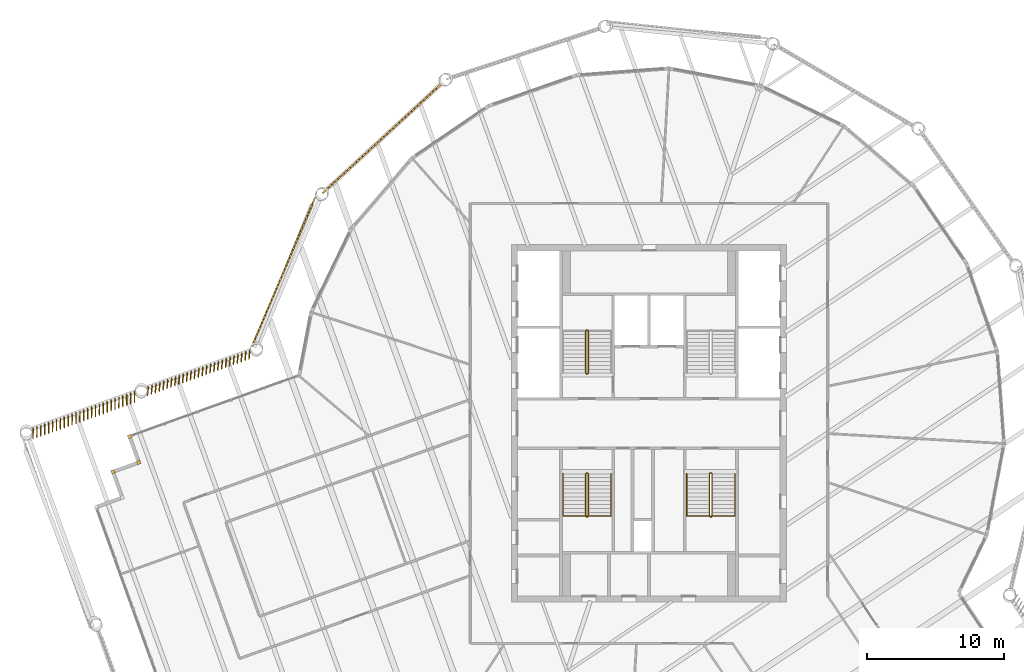
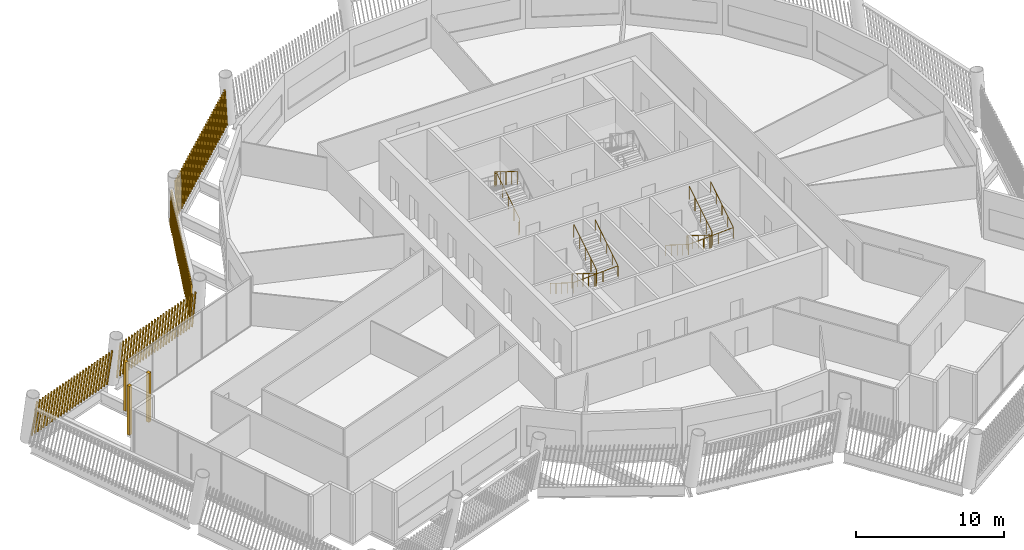
# One storey, part 25 of 28: 7 shading devices, 5 railings.
"""IFC4 building model written with IfcOpenShell, lengths in metres."""

from ifc_helpers import new_model, si_unit, direction, frame, frame_2d, origin, origin_2d, place, context, subcontext, project, spatial, rectangle, circle, composite_profile, extrude, material, type_object, element, save


model = new_model("IFC4")

# Units and contexts
model_context = context("Model", 3, precision=1e-05, world=origin(), true_north=direction((0.0, 1.0)))
body_context = subcontext(model_context, "Body", "Model", "MODEL_VIEW")
ifc_project = project(units=[si_unit("LENGTHUNIT", "METRE"), si_unit("AREAUNIT", "SQUARE_METRE"), si_unit("VOLUMEUNIT", "CUBIC_METRE"), si_unit("PLANEANGLEUNIT", "RADIAN"), si_unit("MASSUNIT", "GRAM", prefix="KILO")], contexts=[model_context])

# Site, building, storey
site_placement = place(None, origin())
site = spatial("IfcSite", under=ifc_project, at=site_placement, CompositionType="ELEMENT")
building_placement = place(site_placement, origin())
building = spatial("IfcBuilding", under=site, at=building_placement, Name="Tarsis Ring Headquarters", CompositionType="ELEMENT")
storey_placement = place(building_placement, frame((0.0, 0.0, 365.0)))
storey = spatial("IfcBuildingStorey", under=building, at=storey_placement, Name="L86", CompositionType="ELEMENT", Elevation=365.0)

# Railings
ifc_material_1 = material(Name="Steel S355", Category="steel")
railing_type_1 = type_object("IfcRailingType", Name="Core stair guard 1100", PredefinedType="GUARDRAIL", material=ifc_material_1)
railing_1_placement = place(storey_placement, frame((-4.5400390625, 3.610107421875, 0.0)))
element("IfcRailing", 1, at=railing_1_placement, inside=storey, type_object=railing_type_1, Name="L86 ST1 stair guard 1", PredefinedType="GUARDRAIL", context=body_context, shape_type="SweptSolid", body=[
    extrude(circle(Radius=0.02392578125, at=origin_2d()), frame((0.0, 0.0, 1.076171875), z_axis=(1.0, 0.0, 0.0), x_axis=(0.0, 1.0, 0.0)), (0.0, 0.0, 1.0), 0.080078125),
    extrude(circle(Radius=0.02392578125, at=origin_2d()), frame((0.080078125, 0.0, 1.076171875), z_axis=(0.265155923931, 0.263862480399, 0.927399011991), x_axis=(-0.705375805398, 0.708833529934, 0.0)), (0.0, 0.0, 1.0), 0.188720703125),
    extrude(circle(Radius=0.02392578125, at=origin_2d()), frame((0.130126953125, 0.0498046875, 1.2509765625), z_axis=(0.0, 0.847998304005, 0.529998940003), x_axis=(-1.0, 0.0, 0.0)), (0.0, 0.0, 1.0), 3.632080078125),
    extrude(circle(Radius=0.02392578125, at=origin_2d()), frame((0.130126953125, 3.1298828125, 3.17626953125), z_axis=(-0.707106781187, 0.707106781187, 0.0), x_axis=(-0.707106781187, -0.707106781187, 0.0)), (0.0, 0.0, 1.0), 0.07080078125),
    extrude(circle(Radius=0.02392578125, at=origin_2d()), frame((0.080078125, 3.179931640625, 3.17626953125), z_axis=(-1.0, 0.0, 0.0), x_axis=(0.0, -1.0, 0.0)), (0.0, 0.0, 1.0), 0.080078125),
    extrude(circle(Radius=0.02392578125, at=origin_2d()), frame((0.0, 3.179931640625, 3.17626953125), z_axis=(-0.265383341853, -0.265383341853, 0.926899867156), x_axis=(0.707106781187, -0.707106781187, 0.0)), (0.0, 0.0, 1.0), 0.1884765625),
    extrude(circle(Radius=0.02392578125, at=origin_2d()), frame((-0.050048828125, 3.1298828125, 3.35107421875), z_axis=(0.0, -0.847998304005, 0.529998940003), x_axis=(1.0, 0.0, 0.0)), (0.0, 0.0, 1.0), 3.632080078125),
    extrude(circle(Radius=0.02099609375, at=origin_2d()), origin(), (0.0, 0.0, 1.0), 1.052001953125),
    extrude(circle(Radius=0.02099609375, at=origin_2d()), frame((0.080078125, 0.0, 0.0)), (0.0, 0.0, 1.0), 1.052001953125),
    extrude(circle(Radius=0.02099609375, at=origin_2d()), frame((0.130126953125, 0.0498046875, 0.175048828125)), (0.0, 0.0, 1.0), 1.052001953125),
    extrude(circle(Radius=0.02099609375, at=origin_2d()), frame((0.130126953125, 0.81982421875, 0.65625)), (0.0, 0.0, 1.0), 1.052001953125),
    extrude(circle(Radius=0.02099609375, at=origin_2d()), frame((0.130126953125, 1.58984375, 1.1376953125)), (0.0, 0.0, 1.0), 1.052001953125),
    extrude(circle(Radius=0.02099609375, at=origin_2d()), frame((0.130126953125, 2.35986328125, 1.618896484375)), (0.0, 0.0, 1.0), 1.052001953125),
    extrude(circle(Radius=0.02099609375, at=origin_2d()), frame((0.130126953125, 3.1298828125, 2.10009765625)), (0.0, 0.0, 1.0), 1.052001953125),
    extrude(circle(Radius=0.02099609375, at=origin_2d()), frame((0.080078125, 3.179931640625, 2.10009765625)), (0.0, 0.0, 1.0), 1.052001953125),
    extrude(circle(Radius=0.02099609375, at=origin_2d()), frame((0.0, 3.179931640625, 2.10009765625)), (0.0, 0.0, 1.0), 1.052001953125),
    extrude(circle(Radius=0.02099609375, at=origin_2d()), frame((-0.050048828125, 3.1298828125, 2.27490234375)), (0.0, 0.0, 1.0), 1.052001953125),
    extrude(circle(Radius=0.02099609375, at=origin_2d()), frame((-0.050048828125, 2.35986328125, 2.756103515625)), (0.0, 0.0, 1.0), 1.052001953125),
    extrude(circle(Radius=0.02099609375, at=origin_2d()), frame((-0.050048828125, 1.58984375, 3.2373046875)), (0.0, 0.0, 1.0), 1.052001953125),
    extrude(circle(Radius=0.02099609375, at=origin_2d()), frame((-0.050048828125, 0.81982421875, 3.71875)), (0.0, 0.0, 1.0), 1.052001953125),
    extrude(circle(Radius=0.02099609375, at=origin_2d()), frame((-0.050048828125, 0.0498046875, 4.199951171875)), (0.0, 0.0, 1.0), 1.052001953125),
])
railing_2_placement = place(storey_placement, frame((-4.4599609375, -3.610107421875, 0.0)))
element("IfcRailing", 2, at=railing_2_placement, inside=storey, type_object=railing_type_1, Name="L86 ST3 stair guard 1", PredefinedType="GUARDRAIL", context=body_context, shape_type="SweptSolid", body=[
    extrude(circle(Radius=0.02392578125, at=origin_2d()), frame((0.0, 0.0, 1.076171875), z_axis=(-1.0, 0.0, 0.0), x_axis=(0.0, -1.0, 0.0)), (0.0, 0.0, 1.0), 0.080078125),
    extrude(circle(Radius=0.02392578125, at=origin_2d()), frame((-0.080078125, 0.0, 1.076171875), z_axis=(-0.265155923931, -0.263862480399, 0.927399011991), x_axis=(0.705375805398, -0.708833529934, 0.0)), (0.0, 0.0, 1.0), 0.188720703125),
    extrude(circle(Radius=0.02392578125, at=origin_2d()), frame((-0.130126953125, -0.0498046875, 1.2509765625), z_axis=(0.0, -0.847998304005, 0.529998940003), x_axis=(1.0, 0.0, 0.0)), (0.0, 0.0, 1.0), 3.632080078125),
    extrude(circle(Radius=0.02392578125, at=origin_2d()), frame((-0.130126953125, -3.1298828125, 3.17626953125), z_axis=(0.707106781187, -0.707106781187, 0.0), x_axis=(0.707106781187, 0.707106781187, 0.0)), (0.0, 0.0, 1.0), 0.07080078125),
    extrude(circle(Radius=0.02392578125, at=origin_2d()), frame((-0.080078125, -3.179931640625, 3.17626953125), z_axis=(1.0, 0.0, 0.0), x_axis=(0.0, 1.0, 0.0)), (0.0, 0.0, 1.0), 0.080078125),
    extrude(circle(Radius=0.02392578125, at=origin_2d()), frame((0.0, -3.179931640625, 3.17626953125), z_axis=(0.265383341853, 0.265383341853, 0.926899867156), x_axis=(-0.707106781187, 0.707106781187, 0.0)), (0.0, 0.0, 1.0), 0.1884765625),
    extrude(circle(Radius=0.02392578125, at=origin_2d()), frame((0.050048828125, -3.1298828125, 3.35107421875), z_axis=(0.0, 0.847998304005, 0.529998940003), x_axis=(-1.0, 0.0, 0.0)), (0.0, 0.0, 1.0), 3.632080078125),
    extrude(circle(Radius=0.02099609375, at=origin_2d()), origin(), (0.0, 0.0, 1.0), 1.052001953125),
    extrude(circle(Radius=0.02099609375, at=origin_2d()), frame((-0.080078125, 0.0, 0.0)), (0.0, 0.0, 1.0), 1.052001953125),
    extrude(circle(Radius=0.02099609375, at=origin_2d()), frame((-0.130126953125, -0.0498046875, 0.175048828125)), (0.0, 0.0, 1.0), 1.052001953125),
    extrude(circle(Radius=0.02099609375, at=origin_2d()), frame((-0.130126953125, -0.81982421875, 0.65625)), (0.0, 0.0, 1.0), 1.052001953125),
    extrude(circle(Radius=0.02099609375, at=origin_2d()), frame((-0.130126953125, -1.58984375, 1.1376953125)), (0.0, 0.0, 1.0), 1.052001953125),
    extrude(circle(Radius=0.02099609375, at=origin_2d()), frame((-0.130126953125, -2.35986328125, 1.618896484375)), (0.0, 0.0, 1.0), 1.052001953125),
    extrude(circle(Radius=0.02099609375, at=origin_2d()), frame((-0.130126953125, -3.1298828125, 2.10009765625)), (0.0, 0.0, 1.0), 1.052001953125),
    extrude(circle(Radius=0.02099609375, at=origin_2d()), frame((-0.080078125, -3.179931640625, 2.10009765625)), (0.0, 0.0, 1.0), 1.052001953125),
    extrude(circle(Radius=0.02099609375, at=origin_2d()), frame((0.0, -3.179931640625, 2.10009765625)), (0.0, 0.0, 1.0), 1.052001953125),
    extrude(circle(Radius=0.02099609375, at=origin_2d()), frame((0.050048828125, -3.1298828125, 2.27490234375)), (0.0, 0.0, 1.0), 1.052001953125),
    extrude(circle(Radius=0.02099609375, at=origin_2d()), frame((0.050048828125, -2.35986328125, 2.756103515625)), (0.0, 0.0, 1.0), 1.052001953125),
    extrude(circle(Radius=0.02099609375, at=origin_2d()), frame((0.050048828125, -1.58984375, 3.2373046875)), (0.0, 0.0, 1.0), 1.052001953125),
    extrude(circle(Radius=0.02099609375, at=origin_2d()), frame((0.050048828125, -0.81982421875, 3.71875)), (0.0, 0.0, 1.0), 1.052001953125),
    extrude(circle(Radius=0.02099609375, at=origin_2d()), frame((0.050048828125, -0.0498046875, 4.199951171875)), (0.0, 0.0, 1.0), 1.052001953125),
])
railing_3_placement = place(storey_placement, frame((4.5400390625, -3.610107421875, 0.0)))
element("IfcRailing", 3, at=railing_3_placement, inside=storey, type_object=railing_type_1, Name="L86 ST4 stair guard 1", PredefinedType="GUARDRAIL", context=body_context, shape_type="SweptSolid", body=[
    extrude(circle(Radius=0.02392578125, at=origin_2d()), frame((0.0, 0.0, 1.076171875), z_axis=(-1.0, 0.0, 0.0), x_axis=(0.0, -1.0, 0.0)), (0.0, 0.0, 1.0), 0.080078125),
    extrude(circle(Radius=0.02392578125, at=origin_2d()), frame((-0.080078125, 0.0, 1.076171875), z_axis=(-0.265155923931, -0.263862480399, 0.927399011991), x_axis=(0.705375805398, -0.708833529934, 0.0)), (0.0, 0.0, 1.0), 0.188720703125),
    extrude(circle(Radius=0.02392578125, at=origin_2d()), frame((-0.130126953125, -0.0498046875, 1.2509765625), z_axis=(0.0, -0.847998304005, 0.529998940003), x_axis=(1.0, 0.0, 0.0)), (0.0, 0.0, 1.0), 3.632080078125),
    extrude(circle(Radius=0.02392578125, at=origin_2d()), frame((-0.130126953125, -3.1298828125, 3.17626953125), z_axis=(0.707106781187, -0.707106781187, 0.0), x_axis=(0.707106781187, 0.707106781187, 0.0)), (0.0, 0.0, 1.0), 0.07080078125),
    extrude(circle(Radius=0.02392578125, at=origin_2d()), frame((-0.080078125, -3.179931640625, 3.17626953125), z_axis=(1.0, 0.0, 0.0), x_axis=(0.0, 1.0, 0.0)), (0.0, 0.0, 1.0), 0.080078125),
    extrude(circle(Radius=0.02392578125, at=origin_2d()), frame((0.0, -3.179931640625, 3.17626953125), z_axis=(0.265383341853, 0.265383341853, 0.926899867156), x_axis=(-0.707106781187, 0.707106781187, 0.0)), (0.0, 0.0, 1.0), 0.1884765625),
    extrude(circle(Radius=0.02392578125, at=origin_2d()), frame((0.050048828125, -3.1298828125, 3.35107421875), z_axis=(0.0, 0.847998304005, 0.529998940003), x_axis=(-1.0, 0.0, 0.0)), (0.0, 0.0, 1.0), 3.632080078125),
    extrude(circle(Radius=0.02099609375, at=origin_2d()), origin(), (0.0, 0.0, 1.0), 1.052001953125),
    extrude(circle(Radius=0.02099609375, at=origin_2d()), frame((-0.080078125, 0.0, 0.0)), (0.0, 0.0, 1.0), 1.052001953125),
    extrude(circle(Radius=0.02099609375, at=origin_2d()), frame((-0.130126953125, -0.0498046875, 0.175048828125)), (0.0, 0.0, 1.0), 1.052001953125),
    extrude(circle(Radius=0.02099609375, at=origin_2d()), frame((-0.130126953125, -0.81982421875, 0.65625)), (0.0, 0.0, 1.0), 1.052001953125),
    extrude(circle(Radius=0.02099609375, at=origin_2d()), frame((-0.130126953125, -1.58984375, 1.1376953125)), (0.0, 0.0, 1.0), 1.052001953125),
    extrude(circle(Radius=0.02099609375, at=origin_2d()), frame((-0.130126953125, -2.35986328125, 1.618896484375)), (0.0, 0.0, 1.0), 1.052001953125),
    extrude(circle(Radius=0.02099609375, at=origin_2d()), frame((-0.130126953125, -3.1298828125, 2.10009765625)), (0.0, 0.0, 1.0), 1.052001953125),
    extrude(circle(Radius=0.02099609375, at=origin_2d()), frame((-0.080078125, -3.179931640625, 2.10009765625)), (0.0, 0.0, 1.0), 1.052001953125),
    extrude(circle(Radius=0.02099609375, at=origin_2d()), frame((0.0, -3.179931640625, 2.10009765625)), (0.0, 0.0, 1.0), 1.052001953125),
    extrude(circle(Radius=0.02099609375, at=origin_2d()), frame((0.050048828125, -3.1298828125, 2.27490234375)), (0.0, 0.0, 1.0), 1.052001953125),
    extrude(circle(Radius=0.02099609375, at=origin_2d()), frame((0.050048828125, -2.35986328125, 2.756103515625)), (0.0, 0.0, 1.0), 1.052001953125),
    extrude(circle(Radius=0.02099609375, at=origin_2d()), frame((0.050048828125, -1.58984375, 3.2373046875)), (0.0, 0.0, 1.0), 1.052001953125),
    extrude(circle(Radius=0.02099609375, at=origin_2d()), frame((0.050048828125, -0.81982421875, 3.71875)), (0.0, 0.0, 1.0), 1.052001953125),
    extrude(circle(Radius=0.02099609375, at=origin_2d()), frame((0.050048828125, -0.0498046875, 4.199951171875)), (0.0, 0.0, 1.0), 1.052001953125),
])
railing_type_2 = type_object("IfcRailingType", Name="Core stair handrail 900", PredefinedType="HANDRAIL", material=ifc_material_1)
railing_4_placement = place(storey_placement, frame((-6.25, -3.659912109375, 0.175048828125)))
element("IfcRailing", 4, at=railing_4_placement, inside=storey, type_object=railing_type_2, Name="L86 ST3 stair handrail 1", PredefinedType="HANDRAIL", context=body_context, shape_type="SweptSolid", body=[
    extrude(circle(Radius=0.02392578125, at=origin_2d()), frame((0.0, 0.0, 0.8759765625), z_axis=(0.0, -0.847998304005, 0.529998940003), x_axis=(1.0, 0.0, 0.0)), (0.0, 0.0, 1.0), 3.632080078125),
    extrude(circle(Radius=0.02392578125, at=origin_2d()), frame((0.0, -3.080078125, 2.80078125), z_axis=(0.998755117086, 0.0, 0.049882021752), x_axis=(0.0, 1.0, 0.0)), (0.0, 0.0, 1.0), 3.50439453125),
    extrude(circle(Radius=0.02392578125, at=origin_2d()), frame((3.5, -3.080078125, 2.9755859375), z_axis=(0.0, 0.847998304005, 0.529998940003), x_axis=(-1.0, 0.0, 0.0)), (0.0, 0.0, 1.0), 3.632080078125),
    extrude(circle(Radius=0.02099609375, at=origin_2d()), origin(), (0.0, 0.0, 1.0), 0.851806640625),
    extrude(circle(Radius=0.02099609375, at=origin_2d()), frame((0.0, -0.77001953125, 0.481201171875)), (0.0, 0.0, 1.0), 0.851806640625),
    extrude(circle(Radius=0.02099609375, at=origin_2d()), frame((0.0, -1.5400390625, 0.96240234375)), (0.0, 0.0, 1.0), 0.851806640625),
    extrude(circle(Radius=0.02099609375, at=origin_2d()), frame((0.0, -2.31005859375, 1.44384765625)), (0.0, 0.0, 1.0), 0.851806640625),
    extrude(circle(Radius=0.02099609375, at=origin_2d()), frame((0.0, -3.080078125, 1.925048828125)), (0.0, 0.0, 1.0), 0.851806640625),
    extrude(circle(Radius=0.02099609375, at=origin_2d()), frame((1.166748046875, -3.080078125, 1.9833984375)), (0.0, 0.0, 1.0), 0.851806640625),
    extrude(circle(Radius=0.02099609375, at=origin_2d()), frame((2.333251953125, -3.080078125, 2.04150390625)), (0.0, 0.0, 1.0), 0.851806640625),
    extrude(circle(Radius=0.02099609375, at=origin_2d()), frame((3.5, -3.080078125, 2.099853515625)), (0.0, 0.0, 1.0), 0.851806640625),
    extrude(circle(Radius=0.02099609375, at=origin_2d()), frame((3.5, -2.31005859375, 2.5810546875)), (0.0, 0.0, 1.0), 0.851806640625),
    extrude(circle(Radius=0.02099609375, at=origin_2d()), frame((3.5, -1.5400390625, 3.0625)), (0.0, 0.0, 1.0), 0.851806640625),
    extrude(circle(Radius=0.02099609375, at=origin_2d()), frame((3.5, -0.77001953125, 3.543701171875)), (0.0, 0.0, 1.0), 0.851806640625),
    extrude(circle(Radius=0.02099609375, at=origin_2d()), frame((3.5, 0.0, 4.02490234375)), (0.0, 0.0, 1.0), 0.851806640625),
])
railing_5_placement = place(storey_placement, frame((2.75, -3.659912109375, 0.175048828125)))
element("IfcRailing", 5, at=railing_5_placement, inside=storey, type_object=railing_type_2, Name="L86 ST4 stair handrail 1", PredefinedType="HANDRAIL", context=body_context, shape_type="SweptSolid", body=[
    extrude(circle(Radius=0.02392578125, at=origin_2d()), frame((0.0, 0.0, 0.8759765625), z_axis=(0.0, -0.847998304005, 0.529998940003), x_axis=(1.0, 0.0, 0.0)), (0.0, 0.0, 1.0), 3.632080078125),
    extrude(circle(Radius=0.02392578125, at=origin_2d()), frame((0.0, -3.080078125, 2.80078125), z_axis=(0.998755117086, 0.0, 0.049882021752), x_axis=(0.0, 1.0, 0.0)), (0.0, 0.0, 1.0), 3.50439453125),
    extrude(circle(Radius=0.02392578125, at=origin_2d()), frame((3.5, -3.080078125, 2.9755859375), z_axis=(0.0, 0.847998304005, 0.529998940003), x_axis=(-1.0, 0.0, 0.0)), (0.0, 0.0, 1.0), 3.632080078125),
    extrude(circle(Radius=0.02099609375, at=origin_2d()), origin(), (0.0, 0.0, 1.0), 0.851806640625),
    extrude(circle(Radius=0.02099609375, at=origin_2d()), frame((0.0, -0.77001953125, 0.481201171875)), (0.0, 0.0, 1.0), 0.851806640625),
    extrude(circle(Radius=0.02099609375, at=origin_2d()), frame((0.0, -1.5400390625, 0.96240234375)), (0.0, 0.0, 1.0), 0.851806640625),
    extrude(circle(Radius=0.02099609375, at=origin_2d()), frame((0.0, -2.31005859375, 1.44384765625)), (0.0, 0.0, 1.0), 0.851806640625),
    extrude(circle(Radius=0.02099609375, at=origin_2d()), frame((0.0, -3.080078125, 1.925048828125)), (0.0, 0.0, 1.0), 0.851806640625),
    extrude(circle(Radius=0.02099609375, at=origin_2d()), frame((1.166748046875, -3.080078125, 1.9833984375)), (0.0, 0.0, 1.0), 0.851806640625),
    extrude(circle(Radius=0.02099609375, at=origin_2d()), frame((2.333251953125, -3.080078125, 2.04150390625)), (0.0, 0.0, 1.0), 0.851806640625),
    extrude(circle(Radius=0.02099609375, at=origin_2d()), frame((3.5, -3.080078125, 2.099853515625)), (0.0, 0.0, 1.0), 0.851806640625),
    extrude(circle(Radius=0.02099609375, at=origin_2d()), frame((3.5, -2.31005859375, 2.5810546875)), (0.0, 0.0, 1.0), 0.851806640625),
    extrude(circle(Radius=0.02099609375, at=origin_2d()), frame((3.5, -1.5400390625, 3.0625)), (0.0, 0.0, 1.0), 0.851806640625),
    extrude(circle(Radius=0.02099609375, at=origin_2d()), frame((3.5, -0.77001953125, 3.543701171875)), (0.0, 0.0, 1.0), 0.851806640625),
    extrude(circle(Radius=0.02099609375, at=origin_2d()), frame((3.5, 0.0, 4.02490234375)), (0.0, 0.0, 1.0), 0.851806640625),
])

# Shading devices
ifc_material_2 = material(Name="Terracotta baguette", Category="masonry")
shading_device_type_1 = type_object("IfcShadingDeviceType", Name="Terracotta baguette screen", PredefinedType="USERDEFINED", material=ifc_material_2)
shading_device_1_placement = place(storey_placement, frame((-15.087158203125, 24.70458984375, 0.0), z_axis=(0.0, 0.0, 1.0), x_axis=(-0.735908844276, -0.677091698318, 0.0)))
element("IfcShadingDevice", 6, at=shading_device_1_placement, inside=storey, type_object=shading_device_type_1, Name="Baguette screen L86-11", ObjectType="Terracotta baguette screen", PredefinedType="USERDEFINED", context=body_context, shape_type="SweptSolid", body=[
    extrude(composite_profile([rectangle(XDim=0.06005859375, YDim=0.1201171875, at=frame_2d((0.030029296875, 0.0))), rectangle(XDim=0.06005859375, YDim=0.1201171875, at=frame_2d((0.33251953125, 0.0))), rectangle(XDim=0.06005859375, YDim=0.1201171875, at=frame_2d((0.634765625, 0.0))), rectangle(XDim=0.06005859375, YDim=0.1201171875, at=frame_2d((0.937255859375, 0.0))), rectangle(XDim=0.06005859375, YDim=0.1201171875, at=frame_2d((1.239501953125, 0.0))), rectangle(XDim=0.06005859375, YDim=0.1201171875, at=frame_2d((1.5419921875, 0.0))), rectangle(XDim=0.06005859375, YDim=0.1201171875, at=frame_2d((1.844482421875, 0.0))), rectangle(XDim=0.06005859375, YDim=0.1201171875, at=frame_2d((2.146728515625, 0.0))), rectangle(XDim=0.06005859375, YDim=0.1201171875, at=frame_2d((2.44921875, 0.0))), rectangle(XDim=0.06005859375, YDim=0.1201171875, at=frame_2d((2.751708984375, 0.0))), rectangle(XDim=0.06005859375, YDim=0.1201171875, at=frame_2d((3.053955078125, 0.0))), rectangle(XDim=0.06005859375, YDim=0.1201171875, at=frame_2d((3.3564453125, 0.0))), rectangle(XDim=0.06005859375, YDim=0.1201171875, at=frame_2d((3.65869140625, 0.0))), rectangle(XDim=0.06005859375, YDim=0.1201171875, at=frame_2d((3.961181640625, 0.0))), rectangle(XDim=0.06005859375, YDim=0.1201171875, at=frame_2d((4.263671875, 0.0))), rectangle(XDim=0.06005859375, YDim=0.1201171875, at=frame_2d((4.56591796875, 0.0))), rectangle(XDim=0.06005859375, YDim=0.1201171875, at=frame_2d((4.868408203125, 0.0))), rectangle(XDim=0.06005859375, YDim=0.1201171875, at=frame_2d((5.1708984375, 0.0))), rectangle(XDim=0.06005859375, YDim=0.1201171875, at=frame_2d((5.47314453125, 0.0))), rectangle(XDim=0.06005859375, YDim=0.1201171875, at=frame_2d((5.775634765625, 0.0))), rectangle(XDim=0.06005859375, YDim=0.1201171875, at=frame_2d((6.077880859375, 0.0))), rectangle(XDim=0.06005859375, YDim=0.1201171875, at=frame_2d((6.38037109375, 0.0))), rectangle(XDim=0.06005859375, YDim=0.1201171875, at=frame_2d((6.682861328125, 0.0))), rectangle(XDim=0.06005859375, YDim=0.1201171875, at=frame_2d((6.985107421875, 0.0))), rectangle(XDim=0.06005859375, YDim=0.1201171875, at=frame_2d((7.28759765625, 0.0))), rectangle(XDim=0.06005859375, YDim=0.1201171875, at=frame_2d((7.590087890625, 0.0))), rectangle(XDim=0.06005859375, YDim=0.1201171875, at=frame_2d((7.892333984375, 0.0))), rectangle(XDim=0.06005859375, YDim=0.1201171875, at=frame_2d((8.19482421875, 0.0))), rectangle(XDim=0.06005859375, YDim=0.1201171875, at=frame_2d((8.4970703125, 0.0))), rectangle(XDim=0.06005859375, YDim=0.1201171875, at=frame_2d((8.799560546875, 0.0))), rectangle(XDim=0.06005859375, YDim=0.1201171875, at=frame_2d((9.10205078125, 0.0))), rectangle(XDim=0.06005859375, YDim=0.1201171875, at=frame_2d((9.404296875, 0.0))), rectangle(XDim=0.06005859375, YDim=0.1201171875, at=frame_2d((9.706787109375, 0.0))), rectangle(XDim=0.06005859375, YDim=0.1201171875, at=frame_2d((10.00927734375, 0.0))), rectangle(XDim=0.06005859375, YDim=0.1201171875, at=frame_2d((10.3115234375, 0.0))), rectangle(XDim=0.06005859375, YDim=0.1201171875, at=frame_2d((10.614013671875, 0.0))), rectangle(XDim=0.06005859375, YDim=0.1201171875, at=frame_2d((10.916259765625, 0.0))), rectangle(XDim=0.06005859375, YDim=0.1201171875, at=frame_2d((11.21875, 0.0)))]), origin(), (0.15520380815, 0.001408003885, 0.987881468325), 3.32080078125),
])
shading_device_2_placement = place(storey_placement, frame((-24.27392578125, 16.436279296875, 0.0), z_axis=(0.0, 0.0, 1.0), x_axis=(-0.391405317417, -0.920217037439, 0.0)))
element("IfcShadingDevice", 7, at=shading_device_2_placement, inside=storey, type_object=shading_device_type_1, Name="Baguette screen L86-12", ObjectType="Terracotta baguette screen", PredefinedType="USERDEFINED", context=body_context, shape_type="SweptSolid", body=[
    extrude(composite_profile([rectangle(XDim=0.06005859375, YDim=0.1201171875, at=frame_2d((0.030029296875, 0.0))), rectangle(XDim=0.06005859375, YDim=0.1201171875, at=frame_2d((0.33251953125, 0.0))), rectangle(XDim=0.06005859375, YDim=0.1201171875, at=frame_2d((0.634765625, 0.0))), rectangle(XDim=0.06005859375, YDim=0.1201171875, at=frame_2d((0.937255859375, 0.0))), rectangle(XDim=0.06005859375, YDim=0.1201171875, at=frame_2d((1.239501953125, 0.0))), rectangle(XDim=0.06005859375, YDim=0.1201171875, at=frame_2d((1.5419921875, 0.0))), rectangle(XDim=0.06005859375, YDim=0.1201171875, at=frame_2d((1.844482421875, 0.0))), rectangle(XDim=0.06005859375, YDim=0.1201171875, at=frame_2d((2.146728515625, 0.0))), rectangle(XDim=0.06005859375, YDim=0.1201171875, at=frame_2d((2.44921875, 0.0))), rectangle(XDim=0.06005859375, YDim=0.1201171875, at=frame_2d((2.751708984375, 0.0))), rectangle(XDim=0.06005859375, YDim=0.1201171875, at=frame_2d((3.053955078125, 0.0))), rectangle(XDim=0.06005859375, YDim=0.1201171875, at=frame_2d((3.3564453125, 0.0))), rectangle(XDim=0.06005859375, YDim=0.1201171875, at=frame_2d((3.65869140625, 0.0))), rectangle(XDim=0.06005859375, YDim=0.1201171875, at=frame_2d((3.961181640625, 0.0))), rectangle(XDim=0.06005859375, YDim=0.1201171875, at=frame_2d((4.263671875, 0.0))), rectangle(XDim=0.06005859375, YDim=0.1201171875, at=frame_2d((4.56591796875, 0.0))), rectangle(XDim=0.06005859375, YDim=0.1201171875, at=frame_2d((4.868408203125, 0.0))), rectangle(XDim=0.06005859375, YDim=0.1201171875, at=frame_2d((5.1708984375, 0.0))), rectangle(XDim=0.06005859375, YDim=0.1201171875, at=frame_2d((5.47314453125, 0.0))), rectangle(XDim=0.06005859375, YDim=0.1201171875, at=frame_2d((5.775634765625, 0.0))), rectangle(XDim=0.06005859375, YDim=0.1201171875, at=frame_2d((6.077880859375, 0.0))), rectangle(XDim=0.06005859375, YDim=0.1201171875, at=frame_2d((6.38037109375, 0.0))), rectangle(XDim=0.06005859375, YDim=0.1201171875, at=frame_2d((6.682861328125, 0.0))), rectangle(XDim=0.06005859375, YDim=0.1201171875, at=frame_2d((6.985107421875, 0.0))), rectangle(XDim=0.06005859375, YDim=0.1201171875, at=frame_2d((7.28759765625, 0.0))), rectangle(XDim=0.06005859375, YDim=0.1201171875, at=frame_2d((7.590087890625, 0.0))), rectangle(XDim=0.06005859375, YDim=0.1201171875, at=frame_2d((7.892333984375, 0.0))), rectangle(XDim=0.06005859375, YDim=0.1201171875, at=frame_2d((8.19482421875, 0.0))), rectangle(XDim=0.06005859375, YDim=0.1201171875, at=frame_2d((8.4970703125, 0.0))), rectangle(XDim=0.06005859375, YDim=0.1201171875, at=frame_2d((8.799560546875, 0.0))), rectangle(XDim=0.06005859375, YDim=0.1201171875, at=frame_2d((9.10205078125, 0.0))), rectangle(XDim=0.06005859375, YDim=0.1201171875, at=frame_2d((9.404296875, 0.0))), rectangle(XDim=0.06005859375, YDim=0.1201171875, at=frame_2d((9.706787109375, 0.0))), rectangle(XDim=0.06005859375, YDim=0.1201171875, at=frame_2d((10.00927734375, 0.0))), rectangle(XDim=0.06005859375, YDim=0.1201171875, at=frame_2d((10.3115234375, 0.0))), rectangle(XDim=0.06005859375, YDim=0.1201171875, at=frame_2d((10.614013671875, 0.0))), rectangle(XDim=0.06005859375, YDim=0.1201171875, at=frame_2d((10.916259765625, 0.0))), rectangle(XDim=0.06005859375, YDim=0.1201171875, at=frame_2d((11.21875, 0.0)))]), origin(), (0.157202122011, 0.001428758817, 0.987565416306), 3.32177734375),
])
shading_device_3_placement = place(storey_placement, frame((-28.997802734375, 5.30908203125, 0.0), z_axis=(0.0, 0.0, 1.0), x_axis=(-0.941114681167, -0.338080820564, 0.0)))
element("IfcShadingDevice", 8, at=shading_device_3_placement, inside=storey, type_object=shading_device_type_1, Name="Baguette screen L86-13", ObjectType="Terracotta baguette screen", PredefinedType="USERDEFINED", context=body_context, shape_type="SweptSolid", body=[
    extrude(composite_profile([rectangle(XDim=0.06005859375, YDim=0.1201171875, at=frame_2d((0.030029296875, 0.0))), rectangle(XDim=0.06005859375, YDim=0.1201171875, at=frame_2d((0.33154296875, 0.0))), rectangle(XDim=0.06005859375, YDim=0.1201171875, at=frame_2d((0.63330078125, 0.0))), rectangle(XDim=0.06005859375, YDim=0.1201171875, at=frame_2d((0.934814453125, 0.0))), rectangle(XDim=0.06005859375, YDim=0.1201171875, at=frame_2d((1.236572265625, 0.0))), rectangle(XDim=0.06005859375, YDim=0.1201171875, at=frame_2d((1.5380859375, 0.0))), rectangle(XDim=0.06005859375, YDim=0.1201171875, at=frame_2d((1.83984375, 0.0))), rectangle(XDim=0.06005859375, YDim=0.1201171875, at=frame_2d((2.141357421875, 0.0))), rectangle(XDim=0.06005859375, YDim=0.1201171875, at=frame_2d((2.443115234375, 0.0))), rectangle(XDim=0.06005859375, YDim=0.1201171875, at=frame_2d((2.74462890625, 0.0))), rectangle(XDim=0.06005859375, YDim=0.1201171875, at=frame_2d((3.04638671875, 0.0))), rectangle(XDim=0.06005859375, YDim=0.1201171875, at=frame_2d((3.347900390625, 0.0))), rectangle(XDim=0.06005859375, YDim=0.1201171875, at=frame_2d((3.649658203125, 0.0))), rectangle(XDim=0.06005859375, YDim=0.1201171875, at=frame_2d((3.951171875, 0.0))), rectangle(XDim=0.06005859375, YDim=0.1201171875, at=frame_2d((4.252685546875, 0.0))), rectangle(XDim=0.06005859375, YDim=0.1201171875, at=frame_2d((4.554443359375, 0.0))), rectangle(XDim=0.06005859375, YDim=0.1201171875, at=frame_2d((4.85595703125, 0.0))), rectangle(XDim=0.06005859375, YDim=0.1201171875, at=frame_2d((5.15771484375, 0.0))), rectangle(XDim=0.06005859375, YDim=0.1201171875, at=frame_2d((5.459228515625, 0.0))), rectangle(XDim=0.06005859375, YDim=0.1201171875, at=frame_2d((5.760986328125, 0.0))), rectangle(XDim=0.06005859375, YDim=0.1201171875, at=frame_2d((6.0625, 0.0))), rectangle(XDim=0.06005859375, YDim=0.1201171875, at=frame_2d((6.3642578125, 0.0))), rectangle(XDim=0.06005859375, YDim=0.1201171875, at=frame_2d((6.665771484375, 0.0))), rectangle(XDim=0.06005859375, YDim=0.1201171875, at=frame_2d((6.967529296875, 0.0))), rectangle(XDim=0.06005859375, YDim=0.1201171875, at=frame_2d((7.26904296875, 0.0))), rectangle(XDim=0.06005859375, YDim=0.1201171875, at=frame_2d((7.57080078125, 0.0))), rectangle(XDim=0.06005859375, YDim=0.1201171875, at=frame_2d((7.872314453125, 0.0)))]), origin(), (0.079102078453, 0.161010011156, 0.983777737851), 3.334716796875),
])
shading_device_4_placement = place(storey_placement, frame((-37.3759765625, 2.29931640625, 0.0), z_axis=(0.0, 0.0, 1.0), x_axis=(-0.941112861865, -0.338091265795, 0.0)))
element("IfcShadingDevice", 9, at=shading_device_4_placement, inside=storey, type_object=shading_device_type_1, Name="Baguette screen L86-14", ObjectType="Terracotta baguette screen", PredefinedType="USERDEFINED", context=body_context, shape_type="SweptSolid", body=[
    extrude(composite_profile([rectangle(XDim=0.06005859375, YDim=0.1201171875, at=frame_2d((0.030029296875, 0.0))), rectangle(XDim=0.06005859375, YDim=0.1201171875, at=frame_2d((0.33154296875, 0.0))), rectangle(XDim=0.06005859375, YDim=0.1201171875, at=frame_2d((0.63330078125, 0.0))), rectangle(XDim=0.06005859375, YDim=0.1201171875, at=frame_2d((0.934814453125, 0.0))), rectangle(XDim=0.06005859375, YDim=0.1201171875, at=frame_2d((1.236572265625, 0.0))), rectangle(XDim=0.06005859375, YDim=0.1201171875, at=frame_2d((1.5380859375, 0.0))), rectangle(XDim=0.06005859375, YDim=0.1201171875, at=frame_2d((1.83984375, 0.0))), rectangle(XDim=0.06005859375, YDim=0.1201171875, at=frame_2d((2.141357421875, 0.0))), rectangle(XDim=0.06005859375, YDim=0.1201171875, at=frame_2d((2.443115234375, 0.0))), rectangle(XDim=0.06005859375, YDim=0.1201171875, at=frame_2d((2.74462890625, 0.0))), rectangle(XDim=0.06005859375, YDim=0.1201171875, at=frame_2d((3.04638671875, 0.0))), rectangle(XDim=0.06005859375, YDim=0.1201171875, at=frame_2d((3.347900390625, 0.0))), rectangle(XDim=0.06005859375, YDim=0.1201171875, at=frame_2d((3.649658203125, 0.0))), rectangle(XDim=0.06005859375, YDim=0.1201171875, at=frame_2d((3.951171875, 0.0))), rectangle(XDim=0.06005859375, YDim=0.1201171875, at=frame_2d((4.252685546875, 0.0))), rectangle(XDim=0.06005859375, YDim=0.1201171875, at=frame_2d((4.554443359375, 0.0))), rectangle(XDim=0.06005859375, YDim=0.1201171875, at=frame_2d((4.85595703125, 0.0))), rectangle(XDim=0.06005859375, YDim=0.1201171875, at=frame_2d((5.15771484375, 0.0))), rectangle(XDim=0.06005859375, YDim=0.1201171875, at=frame_2d((5.459228515625, 0.0))), rectangle(XDim=0.06005859375, YDim=0.1201171875, at=frame_2d((5.760986328125, 0.0))), rectangle(XDim=0.06005859375, YDim=0.1201171875, at=frame_2d((6.0625, 0.0))), rectangle(XDim=0.06005859375, YDim=0.1201171875, at=frame_2d((6.3642578125, 0.0))), rectangle(XDim=0.06005859375, YDim=0.1201171875, at=frame_2d((6.665771484375, 0.0))), rectangle(XDim=0.06005859375, YDim=0.1201171875, at=frame_2d((6.967529296875, 0.0))), rectangle(XDim=0.06005859375, YDim=0.1201171875, at=frame_2d((7.26904296875, 0.0))), rectangle(XDim=0.06005859375, YDim=0.1201171875, at=frame_2d((7.57080078125, 0.0))), rectangle(XDim=0.06005859375, YDim=0.1201171875, at=frame_2d((7.872314453125, 0.0)))]), origin(), (0.077970873542, 0.207616393711, 0.975097931462), 3.3642578125),
])
shading_device_type_2 = type_object("IfcShadingDeviceType", Name="Terracotta corner baguette 250x250", PredefinedType="USERDEFINED", material=ifc_material_2)
for number, where, z_axis, x_axis, name in (
    (10, (-37.77734375, -0.952880859375, 0.0), (0.0, 0.0, 1.0), (-0.941117011527, -0.33808101191, 0.0), "Corner baguette L86-32"),
    (11, (-37.10107421875, -2.835205078125, 0.0), (0.0, 0.0, 1.0), (0.33808101191, -0.941117011527, 0.0), "Corner baguette L86-33"),
    (12, (-38.9833984375, -3.51123046875, 0.0), (0.0, 0.0, 1.0), (-0.941116799104, -0.338081603231, 0.0), "Corner baguette L86-34"),
):
    element("IfcShadingDevice", number, at=place(storey_placement, frame(where, z_axis=z_axis, x_axis=x_axis)), inside=storey, type_object=shading_device_type_2, Name=name, ObjectType="Terracotta corner baguette", PredefinedType="USERDEFINED", context=body_context, shape_type="SweptSolid", body=[
        extrude(rectangle(XDim=0.25, YDim=0.25, at=origin_2d()), origin(), (0.0, 0.0, 1.0), 4.0400390625),
    ])

save(model, "model.ifc")
